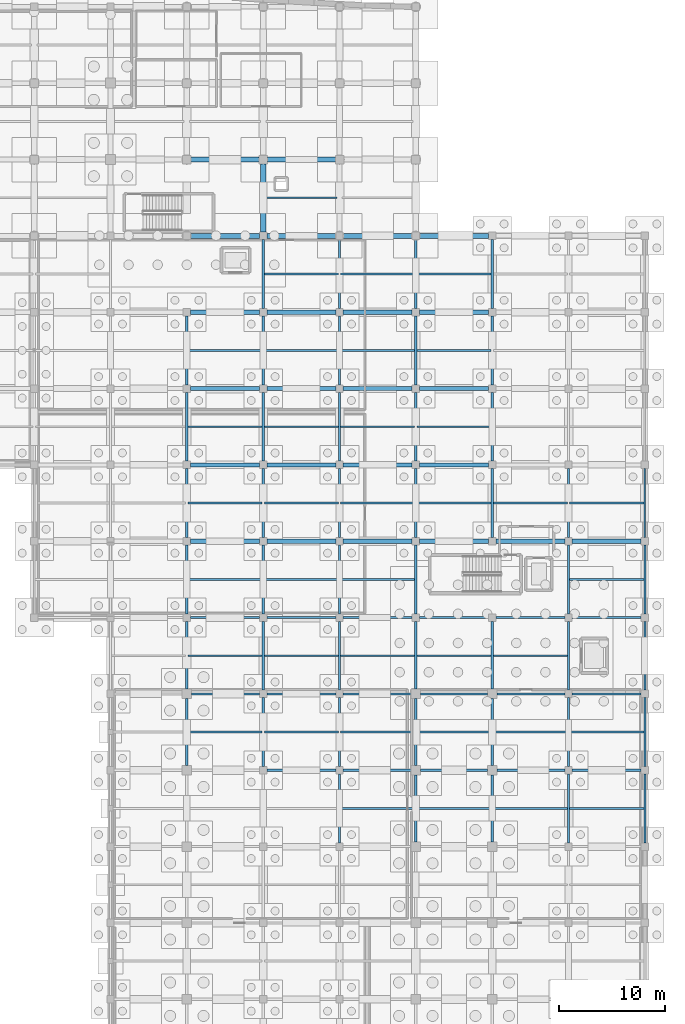
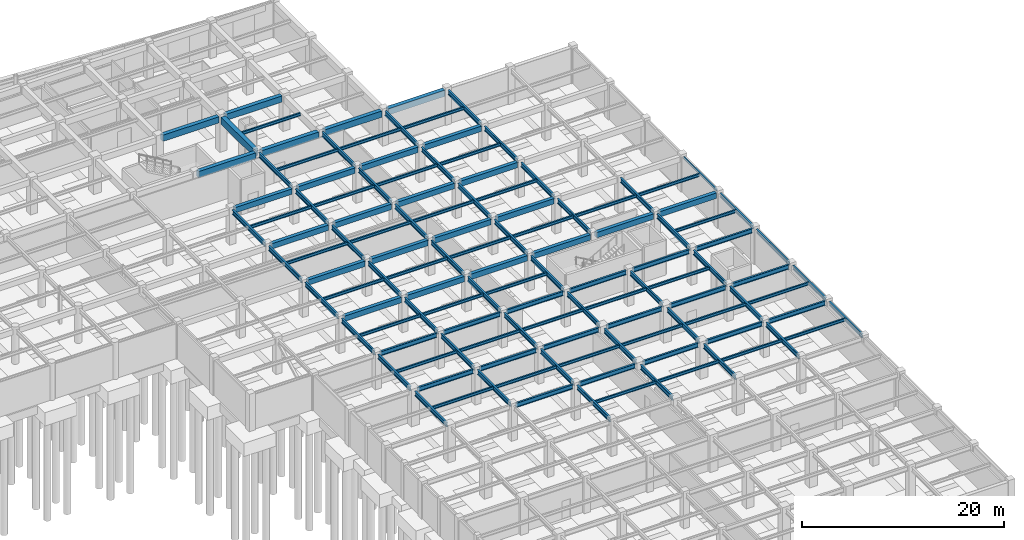
# One storey, part 30 of 48: 125 beams.
"""IFC4 building model written with IfcOpenShell, lengths in metres."""

from ifc_helpers import new_model, si_unit, direction, frame, origin, origin_2d, place, context, subcontext, project, spatial, rectangle, hollow_rectangle, i_section, extrude, material, material_profile, profile_set, type_object, element, save


model = new_model("IFC4")

# Units and contexts
model_context = context("Model", 3, precision=1e-05, world=origin(), true_north=direction((0.0, 1.0)))
body_context = subcontext(model_context, "Body", "Model", "MODEL_VIEW")
ifc_project = project(units=[si_unit("LENGTHUNIT", "METRE"), si_unit("AREAUNIT", "SQUARE_METRE"), si_unit("VOLUMEUNIT", "CUBIC_METRE"), si_unit("PLANEANGLEUNIT", "RADIAN"), si_unit("MASSUNIT", "GRAM", prefix="KILO")], contexts=[model_context])

# Site, building, storey
site_placement = place(None, origin())
site = spatial("IfcSite", under=ifc_project, at=site_placement, CompositionType="ELEMENT")
building_placement = place(site_placement, origin())
building = spatial("IfcBuilding", under=site, at=building_placement, Name="Carrowvane Square Congress Hotel", CompositionType="ELEMENT")
storey_placement = place(building_placement, frame((0.0, 0.0, -4.5)))
storey = spatial("IfcBuildingStorey", under=building, at=storey_placement, Name="B01", CompositionType="ELEMENT", Elevation=-4.5)

# Beams
ifc_material_1 = material(Name="Concrete C35/45", Category="concrete")
ifc_material_profile_1 = material_profile(ifc_material_1, rectangle(XDim=0.39990234375, YDim=0.64990234375, at=origin_2d()), Name="RC 400x650")
ifc_profile_set_1 = profile_set([ifc_material_profile_1], Name="Concrete C35/45")
beam_type_1 = type_object("IfcBeamType", Name="BM-RC-400x650", PredefinedType="BEAM", material=ifc_profile_set_1)
for number, where, z_axis, x_axis, name in (
    (1, (141.550048828125, 63.0, 3.875), (1.0, 0.0, 0.0), (0.0, 1.0, 0.0), "L00 girder J/19-20"),
    (2, (148.75, 63.0, 3.875), (1.0, 0.0, 0.0), (0.0, 1.0, 0.0), "L00 girder J/20-21"),
    (3, (155.949951171875, 63.0, 3.875), (1.0, 0.0, 0.0), (0.0, 1.0, 0.0), "L00 girder J/21-22"),
    (4, (163.14990234375, 63.0, 3.875), (1.0, 0.0, 0.0), (0.0, 1.0, 0.0), "L00 girder J/22-23"),
    (5, (170.35009765625, 63.0, 3.875), (1.0, 0.0, 0.0), (0.0, 1.0, 0.0), "L00 girder J/23-24"),
    (6, (177.550048828125, 63.0, 3.875), (1.0, 0.0, 0.0), (0.0, 1.0, 0.0), "L00 girder J/24-25"),
    (7, (141.550048828125, 70.199951171875, 3.875), (1.0, 0.0, 0.0), (0.0, 1.0, 0.0), "L00 girder K/19-20"),
    (8, (148.75, 70.199951171875, 3.875), (1.0, 0.0, 0.0), (0.0, 1.0, 0.0), "L00 girder K/20-21"),
    (9, (155.949951171875, 70.199951171875, 3.875), (1.0, 0.0, 0.0), (0.0, 1.0, 0.0), "L00 girder K/21-22"),
    (10, (163.14990234375, 70.199951171875, 3.875), (1.0, 0.0, 0.0), (0.0, 1.0, 0.0), "L00 girder K/22-23"),
    (11, (141.550048828125, 77.39990234375, 3.875), (1.0, 0.0, 0.0), (0.0, 1.0, 0.0), "L00 girder L/19-20"),
    (12, (148.75, 77.39990234375, 3.875), (1.0, 0.0, 0.0), (0.0, 1.0, 0.0), "L00 girder L/20-21"),
    (13, (155.949951171875, 77.39990234375, 3.875), (1.0, 0.0, 0.0), (0.0, 1.0, 0.0), "L00 girder L/21-22"),
    (14, (163.14990234375, 77.39990234375, 3.875), (1.0, 0.0, 0.0), (0.0, 1.0, 0.0), "L00 girder L/22-23"),
    (15, (141.550048828125, 84.60009765625, 3.875), (1.0, 0.0, 0.0), (0.0, 1.0, 0.0), "L00 girder M/19-20"),
    (16, (148.75, 84.60009765625, 3.875), (1.0, 0.0, 0.0), (0.0, 1.0, 0.0), "L00 girder M/20-21"),
    (17, (155.949951171875, 84.60009765625, 3.875), (1.0, 0.0, 0.0), (0.0, 1.0, 0.0), "L00 girder M/21-22"),
    (18, (163.14990234375, 84.60009765625, 3.875), (1.0, 0.0, 0.0), (0.0, 1.0, 0.0), "L00 girder M/22-23"),
):
    element("IfcBeam", number, at=place(storey_placement, frame(where, z_axis=z_axis, x_axis=x_axis)), inside=storey, type_object=beam_type_1, Name=name, PredefinedType="BEAM", context=body_context, shape_type="SweptSolid", body=[
        extrude(rectangle(XDim=0.39990234375, YDim=0.64990234375, at=origin_2d()), origin(), (0.0, 0.0, 1.0), 6.5),
    ])
ifc_material_2 = material(Name="Concrete C35/45", Category="concrete")
ifc_material_profile_2 = material_profile(ifc_material_2, rectangle(XDim=0.449951171875, YDim=0.75, at=origin_2d()), Name="RC 450x750")
ifc_profile_set_2 = profile_set([ifc_material_profile_2], Name="Concrete C35/45")
beam_type_2 = type_object("IfcBeamType", Name="BM-RC-450x750", PredefinedType="USERDEFINED", material=ifc_profile_set_2)
for number, where, z_axis, x_axis, name in (
    (19, (141.550048828125, 91.800048828125, 3.824951171875), (1.0, 0.0, 0.0), (0.0, 1.0, 0.0), "L00 girder N/19-20"),
    (20, (148.75, 91.800048828125, 3.824951171875), (1.0, 0.0, 0.0), (0.0, 1.0, 0.0), "L00 girder N/20-21"),
    (21, (155.949951171875, 91.800048828125, 3.824951171875), (1.0, 0.0, 0.0), (0.0, 1.0, 0.0), "L00 girder N/21-22"),
    (22, (163.14990234375, 91.800048828125, 3.824951171875), (1.0, 0.0, 0.0), (0.0, 1.0, 0.0), "L00 girder N/22-23"),
):
    element("IfcBeam", number, at=place(storey_placement, frame(where, z_axis=z_axis, x_axis=x_axis)), inside=storey, type_object=beam_type_2, Name=name, ObjectType="GIRDER", PredefinedType="USERDEFINED", context=body_context, shape_type="SweptSolid", body=[
        extrude(rectangle(XDim=0.449951171875, YDim=0.75, at=origin_2d()), origin(), (0.0, 0.0, 1.0), 6.5),
    ])
for number, where, z_axis, x_axis, name in (
    (23, (141.60009765625, 99.0, 3.824951171875), (1.0, 0.0, 0.0), (0.0, 1.0, 0.0), "L00 girder P/19-20"),
    (24, (148.800048828125, 99.0, 3.824951171875), (1.0, 0.0, 0.0), (0.0, 1.0, 0.0), "L00 girder P/20-21"),
):
    element("IfcBeam", number, at=place(storey_placement, frame(where, z_axis=z_axis, x_axis=x_axis)), inside=storey, type_object=beam_type_2, Name=name, ObjectType="GIRDER", PredefinedType="USERDEFINED", context=body_context, shape_type="SweptSolid", body=[
        extrude(rectangle(XDim=0.449951171875, YDim=0.75, at=origin_2d()), origin(), (0.0, 0.0, 1.0), 6.39990234375),
    ])
ifc_material_3 = material(Name="Concrete C35/45", Category="concrete")
ifc_material_profile_3 = material_profile(ifc_material_3, rectangle(XDim=0.5, YDim=0.85009765625, at=origin_2d()), Name="RC 500x850")
ifc_profile_set_3 = profile_set([ifc_material_profile_3], Name="Concrete C35/45")
beam_type_3 = type_object("IfcBeamType", Name="BM-RC-500x850", PredefinedType="USERDEFINED", material=ifc_profile_set_3)
beam_1_placement = place(storey_placement, frame((148.39990234375, 92.14990234375, 3.77490234375), z_axis=(0.0, 1.0, 0.0), x_axis=(-1.0, 0.0, 0.0)))
element("IfcBeam", 25, at=beam_1_placement, inside=storey, type_object=beam_type_3, Name="L00 girder 20/N-P", ObjectType="GIRDER", PredefinedType="USERDEFINED", context=body_context, shape_type="SweptSolid", body=[
    extrude(rectangle(XDim=0.5, YDim=0.85009765625, at=origin_2d()), origin(), (0.0, 0.0, 1.0), 6.4501953125),
])
ifc_material_4 = material(Name="Steel S355", Category="steel")
ifc_material_profile_4 = material_profile(ifc_material_4, hollow_rectangle(XDim=0.14990234375, YDim=0.25, WallThickness=0.012451171875, at=origin_2d()), Name="RHS 250x150x12.5")
ifc_profile_set_4 = profile_set([ifc_material_profile_4], Name="Steel S355")
beam_type_4 = type_object("IfcBeamType", Name="BM-ST-RHS250", PredefinedType="SPANDREL", material=ifc_profile_set_4)
beam_2_placement = place(storey_placement, frame((184.39990234375, 63.35009765625, 4.074951171875), z_axis=(0.0, 1.0, 0.0), x_axis=(-1.0, 0.0, 0.0)))
element("IfcBeam", 26, at=beam_2_placement, inside=storey, type_object=beam_type_4, Name="L00 girder 25/J-K", PredefinedType="SPANDREL", context=body_context, shape_type="SweptSolid", body=[
    extrude(hollow_rectangle(XDim=0.14990234375, YDim=0.25, WallThickness=0.012451171875, at=origin_2d()), origin(), (0.0, 0.0, 1.0), 6.5),
])
ifc_material_5 = material(Name="Steel S355", Category="steel")
ifc_material_profile_5 = material_profile(ifc_material_5, i_section(OverallWidth=0.172119140625, OverallDepth=0.35791015625, WebThickness=0.008056640625, FlangeThickness=0.012939453125, FilletRadius=0.01025390625, at=origin_2d()), Name="UKB 356x171x57")
ifc_profile_set_5 = profile_set([ifc_material_profile_5], Name="Steel S355")
beam_type_5 = type_object("IfcBeamType", Name="BM-ST-UKB356", PredefinedType="JOIST", material=ifc_profile_set_5)
for number, where, z_axis, x_axis, name in (
    (27, (141.304931640625, 45.0, 4.02099609375), (1.0, 0.0, 0.0), (0.0, 1.0, 0.0), "L00 secondary joist 19-20"),
    (28, (141.304931640625, 52.199951171875, 4.02099609375), (1.0, 0.0, 0.0), (0.0, 1.0, 0.0), "L00 secondary joist 19-20"),
    (29, (141.304931640625, 59.39990234375, 4.02099609375), (1.0, 0.0, 0.0), (0.0, 1.0, 0.0), "L00 secondary joist 19-20"),
    (30, (141.304931640625, 66.60009765625, 4.02099609375), (1.0, 0.0, 0.0), (0.0, 1.0, 0.0), "L00 secondary joist 19-20"),
    (31, (141.304931640625, 73.800048828125, 4.02099609375), (1.0, 0.0, 0.0), (0.0, 1.0, 0.0), "L00 secondary joist 19-20"),
    (32, (141.304931640625, 81.0, 4.02099609375), (1.0, 0.0, 0.0), (0.0, 1.0, 0.0), "L00 secondary joist 19-20"),
):
    element("IfcBeam", number, at=place(storey_placement, frame(where, z_axis=z_axis, x_axis=x_axis)), inside=storey, type_object=beam_type_5, Name=name, PredefinedType="JOIST", context=body_context, shape_type="SweptSolid", body=[
        extrude(i_section(OverallWidth=0.172119140625, OverallDepth=0.35791015625, WebThickness=0.008056640625, FlangeThickness=0.012939453125, FilletRadius=0.01025390625, at=origin_2d()), origin(), (0.0, 0.0, 1.0), 6.989990234375),
    ])
for number, where, z_axis, x_axis, name in (
    (33, (148.5048828125, 45.0, 4.02099609375), (1.0, 0.0, 0.0), (0.0, 1.0, 0.0), "L00 secondary joist 20-21"),
    (34, (148.5048828125, 52.199951171875, 4.02099609375), (1.0, 0.0, 0.0), (0.0, 1.0, 0.0), "L00 secondary joist 20-21"),
    (35, (148.5048828125, 59.39990234375, 4.02099609375), (1.0, 0.0, 0.0), (0.0, 1.0, 0.0), "L00 secondary joist 20-21"),
    (36, (148.5048828125, 66.60009765625, 4.02099609375), (1.0, 0.0, 0.0), (0.0, 1.0, 0.0), "L00 secondary joist 20-21"),
    (37, (148.5048828125, 73.800048828125, 4.02099609375), (1.0, 0.0, 0.0), (0.0, 1.0, 0.0), "L00 secondary joist 20-21"),
    (38, (148.5048828125, 81.0, 4.02099609375), (1.0, 0.0, 0.0), (0.0, 1.0, 0.0), "L00 secondary joist 20-21"),
    (39, (148.5048828125, 88.199951171875, 4.02099609375), (1.0, 0.0, 0.0), (0.0, 1.0, 0.0), "L00 secondary joist 20-21"),
):
    element("IfcBeam", number, at=place(storey_placement, frame(where, z_axis=z_axis, x_axis=x_axis)), inside=storey, type_object=beam_type_5, Name=name, PredefinedType="JOIST", context=body_context, shape_type="SweptSolid", body=[
        extrude(i_section(OverallWidth=0.172119140625, OverallDepth=0.35791015625, WebThickness=0.008056640625, FlangeThickness=0.012939453125, FilletRadius=0.01025390625, at=origin_2d()), origin(), (0.0, 0.0, 1.0), 6.990234375),
    ])
beam_3_placement = place(storey_placement, frame((148.64990234375, 95.39990234375, 4.02099609375), z_axis=(1.0, 0.0, 0.0), x_axis=(0.0, 1.0, 0.0)))
element("IfcBeam", 40, at=beam_3_placement, inside=storey, type_object=beam_type_5, Name="L00 secondary joist 20-21", PredefinedType="JOIST", context=body_context, shape_type="SweptSolid", body=[
    extrude(i_section(OverallWidth=0.172119140625, OverallDepth=0.35791015625, WebThickness=0.008056640625, FlangeThickness=0.012939453125, FilletRadius=0.01025390625, at=origin_2d()), origin(), (0.0, 0.0, 1.0), 6.7001953125),
])
for number, where, z_axis, x_axis, name in (
    (41, (155.705078125, 37.800048828125, 4.02099609375), (1.0, 0.0, 0.0), (0.0, 1.0, 0.0), "L00 secondary joist 21-22"),
    (42, (155.705078125, 45.0, 4.02099609375), (1.0, 0.0, 0.0), (0.0, 1.0, 0.0), "L00 secondary joist 21-22"),
    (43, (155.705078125, 52.199951171875, 4.02099609375), (1.0, 0.0, 0.0), (0.0, 1.0, 0.0), "L00 secondary joist 21-22"),
    (44, (155.705078125, 59.39990234375, 4.02099609375), (1.0, 0.0, 0.0), (0.0, 1.0, 0.0), "L00 secondary joist 21-22"),
    (45, (155.705078125, 66.60009765625, 4.02099609375), (1.0, 0.0, 0.0), (0.0, 1.0, 0.0), "L00 secondary joist 21-22"),
    (46, (155.705078125, 73.800048828125, 4.02099609375), (1.0, 0.0, 0.0), (0.0, 1.0, 0.0), "L00 secondary joist 21-22"),
    (47, (155.705078125, 81.0, 4.02099609375), (1.0, 0.0, 0.0), (0.0, 1.0, 0.0), "L00 secondary joist 21-22"),
    (48, (155.705078125, 88.199951171875, 4.02099609375), (1.0, 0.0, 0.0), (0.0, 1.0, 0.0), "L00 secondary joist 21-22"),
    (49, (162.905029296875, 37.800048828125, 4.02099609375), (1.0, 0.0, 0.0), (0.0, 1.0, 0.0), "L00 secondary joist 22-23"),
    (50, (162.905029296875, 45.0, 4.02099609375), (1.0, 0.0, 0.0), (0.0, 1.0, 0.0), "L00 secondary joist 22-23"),
    (51, (162.905029296875, 52.199951171875, 4.02099609375), (1.0, 0.0, 0.0), (0.0, 1.0, 0.0), "L00 secondary joist 22-23"),
    (52, (162.905029296875, 66.60009765625, 4.02099609375), (1.0, 0.0, 0.0), (0.0, 1.0, 0.0), "L00 secondary joist 22-23"),
    (53, (162.905029296875, 73.800048828125, 4.02099609375), (1.0, 0.0, 0.0), (0.0, 1.0, 0.0), "L00 secondary joist 22-23"),
    (54, (162.905029296875, 81.0, 4.02099609375), (1.0, 0.0, 0.0), (0.0, 1.0, 0.0), "L00 secondary joist 22-23"),
    (55, (162.905029296875, 88.199951171875, 4.02099609375), (1.0, 0.0, 0.0), (0.0, 1.0, 0.0), "L00 secondary joist 22-23"),
    (56, (170.10498046875, 37.800048828125, 4.02099609375), (1.0, 0.0, 0.0), (0.0, 1.0, 0.0), "L00 secondary joist 23-24"),
    (57, (170.10498046875, 45.0, 4.02099609375), (1.0, 0.0, 0.0), (0.0, 1.0, 0.0), "L00 secondary joist 23-24"),
    (58, (170.10498046875, 52.199951171875, 4.02099609375), (1.0, 0.0, 0.0), (0.0, 1.0, 0.0), "L00 secondary joist 23-24"),
    (59, (170.10498046875, 66.60009765625, 4.02099609375), (1.0, 0.0, 0.0), (0.0, 1.0, 0.0), "L00 secondary joist 23-24"),
):
    element("IfcBeam", number, at=place(storey_placement, frame(where, z_axis=z_axis, x_axis=x_axis)), inside=storey, type_object=beam_type_5, Name=name, PredefinedType="JOIST", context=body_context, shape_type="SweptSolid", body=[
        extrude(i_section(OverallWidth=0.172119140625, OverallDepth=0.35791015625, WebThickness=0.008056640625, FlangeThickness=0.012939453125, FilletRadius=0.01025390625, at=origin_2d()), origin(), (0.0, 0.0, 1.0), 6.989990234375),
    ])
for number, where, z_axis, x_axis, name in (
    (60, (177.304931640625, 37.800048828125, 4.02099609375), (1.0, 0.0, 0.0), (0.0, 1.0, 0.0), "L00 secondary joist 24-25"),
    (61, (177.304931640625, 45.0, 4.02099609375), (1.0, 0.0, 0.0), (0.0, 1.0, 0.0), "L00 secondary joist 24-25"),
    (62, (177.304931640625, 59.39990234375, 4.02099609375), (1.0, 0.0, 0.0), (0.0, 1.0, 0.0), "L00 secondary joist 24-25"),
):
    element("IfcBeam", number, at=place(storey_placement, frame(where, z_axis=z_axis, x_axis=x_axis)), inside=storey, type_object=beam_type_5, Name=name, PredefinedType="JOIST", context=body_context, shape_type="SweptSolid", body=[
        extrude(i_section(OverallWidth=0.172119140625, OverallDepth=0.35791015625, WebThickness=0.008056640625, FlangeThickness=0.012939453125, FilletRadius=0.01025390625, at=origin_2d()), origin(), (0.0, 0.0, 1.0), 6.99951171875),
    ])
beam_4_placement = place(storey_placement, frame((177.304931640625, 66.60009765625, 4.02099609375), z_axis=(1.0, 0.0, 0.0), x_axis=(0.0, 1.0, 0.0)))
element("IfcBeam", 63, at=beam_4_placement, inside=storey, type_object=beam_type_5, Name="L00 secondary joist 24-25", PredefinedType="JOIST", context=body_context, shape_type="SweptSolid", body=[
    extrude(i_section(OverallWidth=0.172119140625, OverallDepth=0.35791015625, WebThickness=0.008056640625, FlangeThickness=0.012939453125, FilletRadius=0.01025390625, at=origin_2d()), origin(), (0.0, 0.0, 1.0), 7.02001953125),
])
ifc_material_6 = material(Name="Steel S355", Category="steel")
ifc_material_profile_6 = material_profile(ifc_material_6, i_section(OverallWidth=0.19140625, OverallDepth=0.4599609375, WebThickness=0.010009765625, FlangeThickness=0.01611328125, FilletRadius=0.01025390625, at=origin_2d()), Name="UKB 457x191x82")
ifc_profile_set_6 = profile_set([ifc_material_profile_6], Name="Steel S355")
beam_type_6 = type_object("IfcBeamType", Name="BM-ST-UKB457", PredefinedType="SPANDREL", material=ifc_profile_set_6)
for number, where, z_axis, x_axis, name in (
    (64, (184.39990234375, 34.550048828125, 3.969970703125), (0.0, 1.0, 0.0), (-1.0, 0.0, 0.0), "L00 girder 25/E-F"),
    (65, (184.39990234375, 41.75, 3.969970703125), (0.0, 1.0, 0.0), (-1.0, 0.0, 0.0), "L00 girder 25/F-G"),
    (66, (184.39990234375, 48.949951171875, 3.969970703125), (0.0, 1.0, 0.0), (-1.0, 0.0, 0.0), "L00 girder 25/G-H"),
    (67, (184.39990234375, 56.14990234375, 3.969970703125), (0.0, 1.0, 0.0), (-1.0, 0.0, 0.0), "L00 girder 25/H-J"),
):
    element("IfcBeam", number, at=place(storey_placement, frame(where, z_axis=z_axis, x_axis=x_axis)), inside=storey, type_object=beam_type_6, Name=name, PredefinedType="SPANDREL", context=body_context, shape_type="SweptSolid", body=[
        extrude(i_section(OverallWidth=0.19140625, OverallDepth=0.4599609375, WebThickness=0.010009765625, FlangeThickness=0.01611328125, FilletRadius=0.01025390625, at=origin_2d()), origin(), (0.0, 0.0, 1.0), 6.5),
    ])
ifc_material_7 = material(Name="Steel S355", Category="steel")
ifc_material_profile_7 = material_profile(ifc_material_7, i_section(OverallWidth=0.2099609375, OverallDepth=0.53662109375, WebThickness=0.0107421875, FlangeThickness=0.017333984375, FilletRadius=0.0126953125, at=origin_2d()), Name="UKB 533x210x101")
ifc_profile_set_7 = profile_set([ifc_material_profile_7], Name="Steel S355")
beam_type_7 = type_object("IfcBeamType", Name="BM-ST-UKB533", PredefinedType="USERDEFINED", material=ifc_profile_set_7)
beam_5_placement = place(storey_placement, frame((148.75, 41.39990234375, 3.931640625), z_axis=(1.0, 0.0, 0.0), x_axis=(0.0, 1.0, 0.0)))
element("IfcBeam", 68, at=beam_5_placement, inside=storey, type_object=beam_type_7, Name="L00 girder F/20-21", ObjectType="GIRDER", PredefinedType="USERDEFINED", context=body_context, shape_type="SweptSolid", body=[
    extrude(i_section(OverallWidth=0.2099609375, OverallDepth=0.53662109375, WebThickness=0.0107421875, FlangeThickness=0.017333984375, FilletRadius=0.0126953125, at=origin_2d()), origin(), (0.0, 0.0, 1.0), 6.5),
])
beam_6_placement = place(storey_placement, frame((155.949951171875, 41.39990234375, 3.931640625), z_axis=(1.0, 0.0, 0.0), x_axis=(0.0, 1.0, 0.0)))
element("IfcBeam", 69, at=beam_6_placement, inside=storey, type_object=beam_type_7, Name="L00 girder F/21-22", ObjectType="GIRDER", PredefinedType="USERDEFINED", context=body_context, shape_type="SweptSolid", body=[
    extrude(i_section(OverallWidth=0.2099609375, OverallDepth=0.53662109375, WebThickness=0.0107421875, FlangeThickness=0.017333984375, FilletRadius=0.0126953125, at=origin_2d()), origin(), (0.0, 0.0, 1.0), 6.400146484375),
])
beam_7_placement = place(storey_placement, frame((163.25, 41.39990234375, 3.931640625), z_axis=(1.0, 0.0, 0.0), x_axis=(0.0, 1.0, 0.0)))
element("IfcBeam", 70, at=beam_7_placement, inside=storey, type_object=beam_type_7, Name="L00 girder F/22-23", ObjectType="GIRDER", PredefinedType="USERDEFINED", context=body_context, shape_type="SweptSolid", body=[
    extrude(i_section(OverallWidth=0.2099609375, OverallDepth=0.53662109375, WebThickness=0.0107421875, FlangeThickness=0.017333984375, FilletRadius=0.0126953125, at=origin_2d()), origin(), (0.0, 0.0, 1.0), 6.300048828125),
])
beam_8_placement = place(storey_placement, frame((170.449951171875, 41.39990234375, 3.931640625), z_axis=(1.0, 0.0, 0.0), x_axis=(0.0, 1.0, 0.0)))
element("IfcBeam", 71, at=beam_8_placement, inside=storey, type_object=beam_type_7, Name="L00 girder F/23-24", ObjectType="GIRDER", PredefinedType="USERDEFINED", context=body_context, shape_type="SweptSolid", body=[
    extrude(i_section(OverallWidth=0.2099609375, OverallDepth=0.53662109375, WebThickness=0.0107421875, FlangeThickness=0.017333984375, FilletRadius=0.0126953125, at=origin_2d()), origin(), (0.0, 0.0, 1.0), 6.400146484375),
])
beam_9_placement = place(storey_placement, frame((177.550048828125, 41.39990234375, 3.931640625), z_axis=(1.0, 0.0, 0.0), x_axis=(0.0, 1.0, 0.0)))
element("IfcBeam", 72, at=beam_9_placement, inside=storey, type_object=beam_type_7, Name="L00 girder F/24-25", ObjectType="GIRDER", PredefinedType="USERDEFINED", context=body_context, shape_type="SweptSolid", body=[
    extrude(i_section(OverallWidth=0.2099609375, OverallDepth=0.53662109375, WebThickness=0.0107421875, FlangeThickness=0.017333984375, FilletRadius=0.0126953125, at=origin_2d()), origin(), (0.0, 0.0, 1.0), 6.5),
])
beam_10_placement = place(storey_placement, frame((141.64990234375, 48.60009765625, 3.931640625), z_axis=(1.0, 0.0, 0.0), x_axis=(0.0, 1.0, 0.0)))
element("IfcBeam", 73, at=beam_10_placement, inside=storey, type_object=beam_type_7, Name="L00 girder G/19-20", ObjectType="GIRDER", PredefinedType="USERDEFINED", context=body_context, shape_type="SweptSolid", body=[
    extrude(i_section(OverallWidth=0.2099609375, OverallDepth=0.53662109375, WebThickness=0.0107421875, FlangeThickness=0.017333984375, FilletRadius=0.0126953125, at=origin_2d()), origin(), (0.0, 0.0, 1.0), 6.400146484375),
])
beam_11_placement = place(storey_placement, frame((148.75, 48.60009765625, 3.931640625), z_axis=(1.0, 0.0, 0.0), x_axis=(0.0, 1.0, 0.0)))
element("IfcBeam", 74, at=beam_11_placement, inside=storey, type_object=beam_type_7, Name="L00 girder G/20-21", ObjectType="GIRDER", PredefinedType="USERDEFINED", context=body_context, shape_type="SweptSolid", body=[
    extrude(i_section(OverallWidth=0.2099609375, OverallDepth=0.53662109375, WebThickness=0.0107421875, FlangeThickness=0.017333984375, FilletRadius=0.0126953125, at=origin_2d()), origin(), (0.0, 0.0, 1.0), 6.5),
])
beam_12_placement = place(storey_placement, frame((155.949951171875, 48.60009765625, 3.931640625), z_axis=(1.0, 0.0, 0.0), x_axis=(0.0, 1.0, 0.0)))
element("IfcBeam", 75, at=beam_12_placement, inside=storey, type_object=beam_type_7, Name="L00 girder G/21-22", ObjectType="GIRDER", PredefinedType="USERDEFINED", context=body_context, shape_type="SweptSolid", body=[
    extrude(i_section(OverallWidth=0.2099609375, OverallDepth=0.53662109375, WebThickness=0.0107421875, FlangeThickness=0.017333984375, FilletRadius=0.0126953125, at=origin_2d()), origin(), (0.0, 0.0, 1.0), 6.400146484375),
])
beam_13_placement = place(storey_placement, frame((163.25, 48.60009765625, 3.931640625), z_axis=(1.0, 0.0, 0.0), x_axis=(0.0, 1.0, 0.0)))
element("IfcBeam", 76, at=beam_13_placement, inside=storey, type_object=beam_type_7, Name="L00 girder G/22-23", ObjectType="GIRDER", PredefinedType="USERDEFINED", context=body_context, shape_type="SweptSolid", body=[
    extrude(i_section(OverallWidth=0.2099609375, OverallDepth=0.53662109375, WebThickness=0.0107421875, FlangeThickness=0.017333984375, FilletRadius=0.0126953125, at=origin_2d()), origin(), (0.0, 0.0, 1.0), 6.300048828125),
])
beam_14_placement = place(storey_placement, frame((170.449951171875, 48.60009765625, 3.931640625), z_axis=(1.0, 0.0, 0.0), x_axis=(0.0, 1.0, 0.0)))
element("IfcBeam", 77, at=beam_14_placement, inside=storey, type_object=beam_type_7, Name="L00 girder G/23-24", ObjectType="GIRDER", PredefinedType="USERDEFINED", context=body_context, shape_type="SweptSolid", body=[
    extrude(i_section(OverallWidth=0.2099609375, OverallDepth=0.53662109375, WebThickness=0.0107421875, FlangeThickness=0.017333984375, FilletRadius=0.0126953125, at=origin_2d()), origin(), (0.0, 0.0, 1.0), 6.400146484375),
])
for number, where, z_axis, x_axis, name in (
    (78, (177.550048828125, 48.60009765625, 3.931640625), (1.0, 0.0, 0.0), (0.0, 1.0, 0.0), "L00 girder G/24-25"),
    (79, (141.550048828125, 55.800048828125, 3.931640625), (1.0, 0.0, 0.0), (0.0, 1.0, 0.0), "L00 girder H/19-20"),
    (80, (148.75, 55.800048828125, 3.931640625), (1.0, 0.0, 0.0), (0.0, 1.0, 0.0), "L00 girder H/20-21"),
    (81, (155.949951171875, 55.800048828125, 3.931640625), (1.0, 0.0, 0.0), (0.0, 1.0, 0.0), "L00 girder H/21-22"),
    (82, (163.14990234375, 55.800048828125, 3.931640625), (1.0, 0.0, 0.0), (0.0, 1.0, 0.0), "L00 girder H/22-23"),
    (83, (170.35009765625, 55.800048828125, 3.931640625), (1.0, 0.0, 0.0), (0.0, 1.0, 0.0), "L00 girder H/23-24"),
    (84, (177.550048828125, 55.800048828125, 3.931640625), (1.0, 0.0, 0.0), (0.0, 1.0, 0.0), "L00 girder H/24-25"),
):
    element("IfcBeam", number, at=place(storey_placement, frame(where, z_axis=z_axis, x_axis=x_axis)), inside=storey, type_object=beam_type_7, Name=name, ObjectType="GIRDER", PredefinedType="USERDEFINED", context=body_context, shape_type="SweptSolid", body=[
        extrude(i_section(OverallWidth=0.2099609375, OverallDepth=0.53662109375, WebThickness=0.0107421875, FlangeThickness=0.017333984375, FilletRadius=0.0126953125, at=origin_2d()), origin(), (0.0, 0.0, 1.0), 6.5),
    ])
beam_15_placement = place(storey_placement, frame((141.199951171875, 41.85009765625, 3.931640625), z_axis=(0.0, 1.0, 0.0), x_axis=(-1.0, 0.0, 0.0)))
element("IfcBeam", 85, at=beam_15_placement, inside=storey, type_object=beam_type_7, Name="L00 girder 19/F-G", ObjectType="GIRDER", PredefinedType="USERDEFINED", context=body_context, shape_type="SweptSolid", body=[
    extrude(i_section(OverallWidth=0.2099609375, OverallDepth=0.53662109375, WebThickness=0.0107421875, FlangeThickness=0.017333984375, FilletRadius=0.0126953125, at=origin_2d()), origin(), (0.0, 0.0, 1.0), 6.2998046875),
])
beam_16_placement = place(storey_placement, frame((141.199951171875, 49.050048828125, 3.931640625), z_axis=(0.0, 1.0, 0.0), x_axis=(-1.0, 0.0, 0.0)))
element("IfcBeam", 86, at=beam_16_placement, inside=storey, type_object=beam_type_7, Name="L00 girder 19/G-H", ObjectType="GIRDER", PredefinedType="USERDEFINED", context=body_context, shape_type="SweptSolid", body=[
    extrude(i_section(OverallWidth=0.2099609375, OverallDepth=0.53662109375, WebThickness=0.0107421875, FlangeThickness=0.017333984375, FilletRadius=0.0126953125, at=origin_2d()), origin(), (0.0, 0.0, 1.0), 6.39990234375),
])
for number, where, z_axis, x_axis, name in (
    (87, (141.199951171875, 56.14990234375, 3.931640625), (0.0, 1.0, 0.0), (-1.0, 0.0, 0.0), "L00 girder 19/H-J"),
    (88, (141.199951171875, 63.35009765625, 3.931640625), (0.0, 1.0, 0.0), (-1.0, 0.0, 0.0), "L00 girder 19/J-K"),
    (89, (141.199951171875, 70.550048828125, 3.931640625), (0.0, 1.0, 0.0), (-1.0, 0.0, 0.0), "L00 girder 19/K-L"),
    (90, (141.199951171875, 77.75, 3.931640625), (0.0, 1.0, 0.0), (-1.0, 0.0, 0.0), "L00 girder 19/L-M"),
    (91, (148.39990234375, 41.75, 3.931640625), (0.0, 1.0, 0.0), (-1.0, 0.0, 0.0), "L00 girder 20/F-G"),
    (92, (148.39990234375, 48.949951171875, 3.931640625), (0.0, 1.0, 0.0), (-1.0, 0.0, 0.0), "L00 girder 20/G-H"),
    (93, (148.39990234375, 56.14990234375, 3.931640625), (0.0, 1.0, 0.0), (-1.0, 0.0, 0.0), "L00 girder 20/H-J"),
    (94, (148.39990234375, 63.35009765625, 3.931640625), (0.0, 1.0, 0.0), (-1.0, 0.0, 0.0), "L00 girder 20/J-K"),
    (95, (148.39990234375, 70.550048828125, 3.931640625), (0.0, 1.0, 0.0), (-1.0, 0.0, 0.0), "L00 girder 20/K-L"),
    (96, (148.39990234375, 77.75, 3.931640625), (0.0, 1.0, 0.0), (-1.0, 0.0, 0.0), "L00 girder 20/L-M"),
    (97, (148.39990234375, 84.949951171875, 3.931640625), (0.0, 1.0, 0.0), (-1.0, 0.0, 0.0), "L00 girder 20/M-N"),
    (98, (155.60009765625, 34.550048828125, 3.931640625), (0.0, 1.0, 0.0), (-1.0, 0.0, 0.0), "L00 girder 21/E-F"),
    (99, (155.60009765625, 41.75, 3.931640625), (0.0, 1.0, 0.0), (-1.0, 0.0, 0.0), "L00 girder 21/F-G"),
    (100, (155.60009765625, 48.949951171875, 3.931640625), (0.0, 1.0, 0.0), (-1.0, 0.0, 0.0), "L00 girder 21/G-H"),
    (101, (155.60009765625, 56.14990234375, 3.931640625), (0.0, 1.0, 0.0), (-1.0, 0.0, 0.0), "L00 girder 21/H-J"),
    (102, (155.60009765625, 63.35009765625, 3.931640625), (0.0, 1.0, 0.0), (-1.0, 0.0, 0.0), "L00 girder 21/J-K"),
    (103, (155.60009765625, 70.550048828125, 3.931640625), (0.0, 1.0, 0.0), (-1.0, 0.0, 0.0), "L00 girder 21/K-L"),
    (104, (155.60009765625, 77.75, 3.931640625), (0.0, 1.0, 0.0), (-1.0, 0.0, 0.0), "L00 girder 21/L-M"),
    (105, (155.60009765625, 84.949951171875, 3.931640625), (0.0, 1.0, 0.0), (-1.0, 0.0, 0.0), "L00 girder 21/M-N"),
):
    element("IfcBeam", number, at=place(storey_placement, frame(where, z_axis=z_axis, x_axis=x_axis)), inside=storey, type_object=beam_type_7, Name=name, ObjectType="GIRDER", PredefinedType="USERDEFINED", context=body_context, shape_type="SweptSolid", body=[
        extrude(i_section(OverallWidth=0.2099609375, OverallDepth=0.53662109375, WebThickness=0.0107421875, FlangeThickness=0.017333984375, FilletRadius=0.0126953125, at=origin_2d()), origin(), (0.0, 0.0, 1.0), 6.5),
    ])
beam_17_placement = place(storey_placement, frame((162.800048828125, 34.64990234375, 3.931640625), z_axis=(0.0, 1.0, 0.0), x_axis=(-1.0, 0.0, 0.0)))
element("IfcBeam", 106, at=beam_17_placement, inside=storey, type_object=beam_type_7, Name="L00 girder 22/E-F", ObjectType="GIRDER", PredefinedType="USERDEFINED", context=body_context, shape_type="SweptSolid", body=[
    extrude(i_section(OverallWidth=0.2099609375, OverallDepth=0.53662109375, WebThickness=0.0107421875, FlangeThickness=0.017333984375, FilletRadius=0.0126953125, at=origin_2d()), origin(), (0.0, 0.0, 1.0), 6.300048828125),
])
beam_18_placement = place(storey_placement, frame((162.800048828125, 41.85009765625, 3.931640625), z_axis=(0.0, 1.0, 0.0), x_axis=(-1.0, 0.0, 0.0)))
element("IfcBeam", 107, at=beam_18_placement, inside=storey, type_object=beam_type_7, Name="L00 girder 22/F-G", ObjectType="GIRDER", PredefinedType="USERDEFINED", context=body_context, shape_type="SweptSolid", body=[
    extrude(i_section(OverallWidth=0.2099609375, OverallDepth=0.53662109375, WebThickness=0.0107421875, FlangeThickness=0.017333984375, FilletRadius=0.0126953125, at=origin_2d()), origin(), (0.0, 0.0, 1.0), 6.2998046875),
])
beam_19_placement = place(storey_placement, frame((162.800048828125, 49.050048828125, 3.931640625), z_axis=(0.0, 1.0, 0.0), x_axis=(-1.0, 0.0, 0.0)))
element("IfcBeam", 108, at=beam_19_placement, inside=storey, type_object=beam_type_7, Name="L00 girder 22/G-H", ObjectType="GIRDER", PredefinedType="USERDEFINED", context=body_context, shape_type="SweptSolid", body=[
    extrude(i_section(OverallWidth=0.2099609375, OverallDepth=0.53662109375, WebThickness=0.0107421875, FlangeThickness=0.017333984375, FilletRadius=0.0126953125, at=origin_2d()), origin(), (0.0, 0.0, 1.0), 6.39990234375),
])
for number, where, z_axis, x_axis, name in (
    (109, (162.800048828125, 56.14990234375, 3.931640625), (0.0, 1.0, 0.0), (-1.0, 0.0, 0.0), "L00 girder 22/H-J"),
    (110, (162.800048828125, 63.35009765625, 3.931640625), (0.0, 1.0, 0.0), (-1.0, 0.0, 0.0), "L00 girder 22/J-K"),
    (111, (162.800048828125, 70.550048828125, 3.931640625), (0.0, 1.0, 0.0), (-1.0, 0.0, 0.0), "L00 girder 22/K-L"),
    (112, (162.800048828125, 77.75, 3.931640625), (0.0, 1.0, 0.0), (-1.0, 0.0, 0.0), "L00 girder 22/L-M"),
    (113, (162.800048828125, 84.949951171875, 3.931640625), (0.0, 1.0, 0.0), (-1.0, 0.0, 0.0), "L00 girder 22/M-N"),
):
    element("IfcBeam", number, at=place(storey_placement, frame(where, z_axis=z_axis, x_axis=x_axis)), inside=storey, type_object=beam_type_7, Name=name, ObjectType="GIRDER", PredefinedType="USERDEFINED", context=body_context, shape_type="SweptSolid", body=[
        extrude(i_section(OverallWidth=0.2099609375, OverallDepth=0.53662109375, WebThickness=0.0107421875, FlangeThickness=0.017333984375, FilletRadius=0.0126953125, at=origin_2d()), origin(), (0.0, 0.0, 1.0), 6.5),
    ])
beam_20_placement = place(storey_placement, frame((170.0, 34.64990234375, 3.931640625), z_axis=(0.0, 1.0, 0.0), x_axis=(-1.0, 0.0, 0.0)))
element("IfcBeam", 114, at=beam_20_placement, inside=storey, type_object=beam_type_7, Name="L00 girder 23/E-F", ObjectType="GIRDER", PredefinedType="USERDEFINED", context=body_context, shape_type="SweptSolid", body=[
    extrude(i_section(OverallWidth=0.2099609375, OverallDepth=0.53662109375, WebThickness=0.0107421875, FlangeThickness=0.017333984375, FilletRadius=0.0126953125, at=origin_2d()), origin(), (0.0, 0.0, 1.0), 6.300048828125),
])
beam_21_placement = place(storey_placement, frame((170.0, 41.85009765625, 3.931640625), z_axis=(0.0, 1.0, 0.0), x_axis=(-1.0, 0.0, 0.0)))
element("IfcBeam", 115, at=beam_21_placement, inside=storey, type_object=beam_type_7, Name="L00 girder 23/F-G", ObjectType="GIRDER", PredefinedType="USERDEFINED", context=body_context, shape_type="SweptSolid", body=[
    extrude(i_section(OverallWidth=0.2099609375, OverallDepth=0.53662109375, WebThickness=0.0107421875, FlangeThickness=0.017333984375, FilletRadius=0.0126953125, at=origin_2d()), origin(), (0.0, 0.0, 1.0), 6.2998046875),
])
beam_22_placement = place(storey_placement, frame((170.0, 49.050048828125, 3.931640625), z_axis=(0.0, 1.0, 0.0), x_axis=(-1.0, 0.0, 0.0)))
element("IfcBeam", 116, at=beam_22_placement, inside=storey, type_object=beam_type_7, Name="L00 girder 23/G-H", ObjectType="GIRDER", PredefinedType="USERDEFINED", context=body_context, shape_type="SweptSolid", body=[
    extrude(i_section(OverallWidth=0.2099609375, OverallDepth=0.53662109375, WebThickness=0.0107421875, FlangeThickness=0.017333984375, FilletRadius=0.0126953125, at=origin_2d()), origin(), (0.0, 0.0, 1.0), 6.39990234375),
])
for number, where, z_axis, x_axis, name in (
    (117, (170.0, 63.35009765625, 3.931640625), (0.0, 1.0, 0.0), (-1.0, 0.0, 0.0), "L00 girder 23/J-K"),
    (118, (170.0, 70.550048828125, 3.931640625), (0.0, 1.0, 0.0), (-1.0, 0.0, 0.0), "L00 girder 23/K-L"),
    (119, (170.0, 77.75, 3.931640625), (0.0, 1.0, 0.0), (-1.0, 0.0, 0.0), "L00 girder 23/L-M"),
    (120, (170.0, 84.949951171875, 3.931640625), (0.0, 1.0, 0.0), (-1.0, 0.0, 0.0), "L00 girder 23/M-N"),
    (121, (177.199951171875, 34.550048828125, 3.931640625), (0.0, 1.0, 0.0), (-1.0, 0.0, 0.0), "L00 girder 24/E-F"),
    (122, (177.199951171875, 41.75, 3.931640625), (0.0, 1.0, 0.0), (-1.0, 0.0, 0.0), "L00 girder 24/F-G"),
    (123, (177.199951171875, 48.949951171875, 3.931640625), (0.0, 1.0, 0.0), (-1.0, 0.0, 0.0), "L00 girder 24/G-H"),
    (124, (177.199951171875, 56.14990234375, 3.931640625), (0.0, 1.0, 0.0), (-1.0, 0.0, 0.0), "L00 girder 24/H-J"),
    (125, (177.199951171875, 63.35009765625, 3.931640625), (0.0, 1.0, 0.0), (-1.0, 0.0, 0.0), "L00 girder 24/J-K"),
):
    element("IfcBeam", number, at=place(storey_placement, frame(where, z_axis=z_axis, x_axis=x_axis)), inside=storey, type_object=beam_type_7, Name=name, ObjectType="GIRDER", PredefinedType="USERDEFINED", context=body_context, shape_type="SweptSolid", body=[
        extrude(i_section(OverallWidth=0.2099609375, OverallDepth=0.53662109375, WebThickness=0.0107421875, FlangeThickness=0.017333984375, FilletRadius=0.0126953125, at=origin_2d()), origin(), (0.0, 0.0, 1.0), 6.5),
    ])

save(model, "model.ifc")
